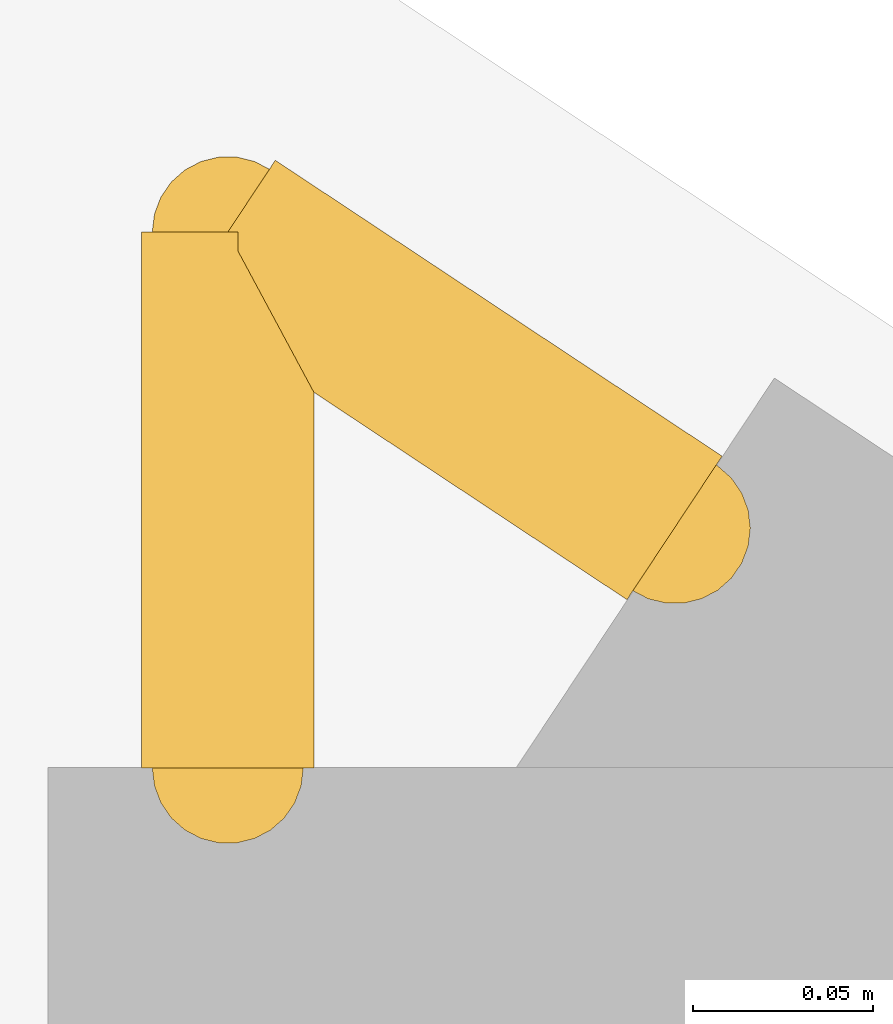
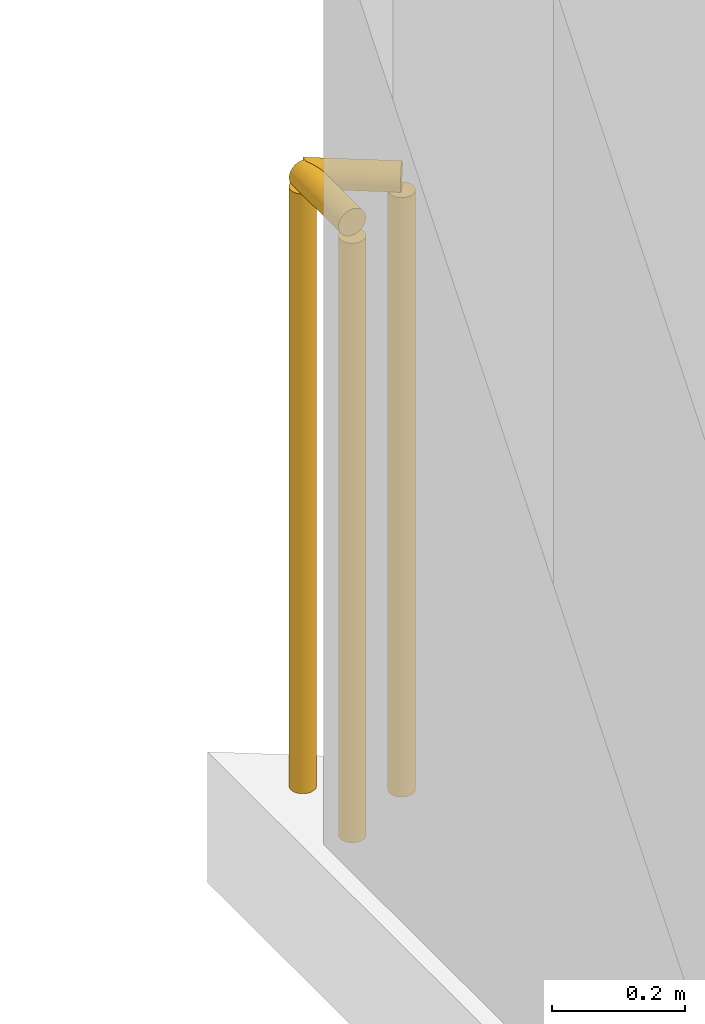
# One storey, part 17 of 18: 2 railings.
"""IFC4 building model written with IfcOpenShell, lengths in metres."""

from ifc_helpers import new_model, si_unit, direction, frame, origin, origin_2d, place, context, subcontext, project, spatial, circle, extrude, material, type_object, element, save


model = new_model("IFC4")

# Units and contexts
model_context = context("Model", 3, precision=1e-05, world=origin(), true_north=direction((0.0, 1.0)))
body_context = subcontext(model_context, "Body", "Model", "MODEL_VIEW")
ifc_project = project(units=[si_unit("LENGTHUNIT", "METRE"), si_unit("AREAUNIT", "SQUARE_METRE"), si_unit("VOLUMEUNIT", "CUBIC_METRE"), si_unit("PLANEANGLEUNIT", "RADIAN"), si_unit("MASSUNIT", "GRAM", prefix="KILO")], contexts=[model_context])

# Site, building, storey
site_placement = place(None, origin())
site = spatial("IfcSite", under=ifc_project, at=site_placement, CompositionType="ELEMENT")
building_placement = place(site_placement, origin())
building = spatial("IfcBuilding", under=site, at=building_placement, Name="Varnakote Quay Hospital", CompositionType="ELEMENT")
storey_placement = place(building_placement, frame((0.0, 0.0, 158.64990234375)))
storey = spatial("IfcBuildingStorey", under=building, at=storey_placement, Name="L39", CompositionType="ELEMENT", Elevation=158.64990234375)

# Railings
ifc_material = material(Name="Anodised aluminium 6063-T6 Bronze", Category="aluminium")
railing_type = type_object("IfcRailingType", Name="RLG-EXT-GUARD-1150", PredefinedType="GUARDRAIL", material=ifc_material)
railing_1_placement = place(storey_placement, frame((2.679931640625, 43.10205078125, 0.0)))
element("IfcRailing", 1, at=railing_1_placement, inside=storey, type_object=railing_type, Name="L39 Slab Edge Perimeter Safety Guard", PredefinedType="GUARDRAIL", context=body_context, shape_type="SweptSolid", body=[
    extrude(circle(Radius=0.02392578125, at=origin_2d()), frame((0.0, 0.0, 1.1259765625), z_axis=(0.0, 1.0, 0.0), x_axis=(-1.0, 0.0, 0.0)), (0.0, 0.0, 1.0), 0.14892578125),
    extrude(circle(Radius=0.02099609375, at=origin_2d()), origin(), (0.0, 0.0, 1.0), 1.101806640625),
    extrude(circle(Radius=0.02099609375, at=origin_2d()), frame((0.0, 0.14892578125, 0.0)), (0.0, 0.0, 1.0), 1.101806640625),
])
railing_2_placement = place(storey_placement, frame((2.679931640625, 43.2509765625, 0.0)))
element("IfcRailing", 2, at=railing_2_placement, inside=storey, type_object=railing_type, Name="L39 Slab Edge Perimeter Safety Guard", PredefinedType="GUARDRAIL", context=body_context, shape_type="SweptSolid", body=[
    extrude(circle(Radius=0.02392578125, at=origin_2d()), frame((0.0, 0.0, 1.1259765625), z_axis=(0.833810230731, -0.552051174374, 0.0), x_axis=(0.552051174374, 0.833810230731, 0.0)), (0.0, 0.0, 1.0), 0.14892578125),
    extrude(circle(Radius=0.02099609375, at=origin_2d()), origin(), (0.0, 0.0, 1.0), 1.101806640625),
    extrude(circle(Radius=0.02099609375, at=origin_2d()), frame((0.124267578125, -0.082275390625, 0.0)), (0.0, 0.0, 1.0), 1.101806640625),
])

save(model, "model.ifc")
